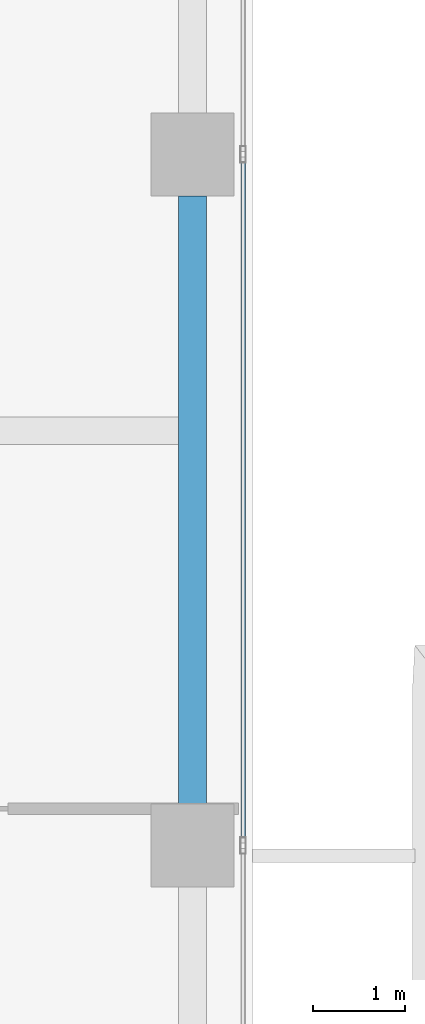
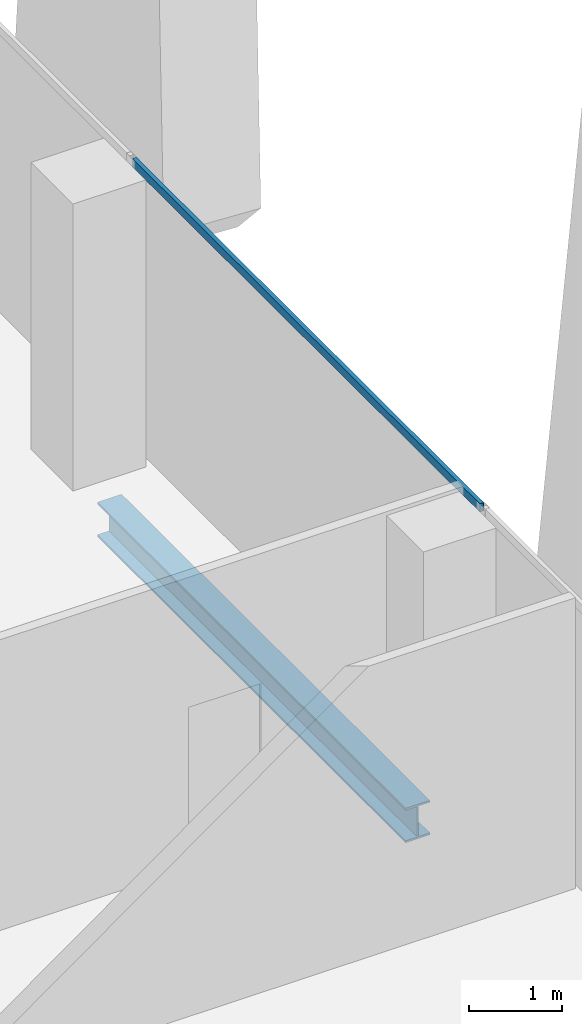
# One storey, part 14 of 36: 1 beam, 1 member, 1 element without a shape of its own.
"""IFC4 building model written with IfcOpenShell, lengths in metres."""

from ifc_helpers import new_model, si_unit, direction, frame, origin, origin_2d, place, context, subcontext, project, spatial, hollow_rectangle, i_section, extrude, source, transform, mapped, material, material_profile, profile_set, type_object, element, aggregate, save


model = new_model("IFC4")

# Units and contexts
model_context = context("Model", 3, precision=1e-05, world=origin(), true_north=direction((0.0, 1.0)))
body_context = subcontext(model_context, "Body", "Model", "MODEL_VIEW")
ifc_project = project(units=[si_unit("LENGTHUNIT", "METRE"), si_unit("AREAUNIT", "SQUARE_METRE"), si_unit("VOLUMEUNIT", "CUBIC_METRE"), si_unit("PLANEANGLEUNIT", "RADIAN"), si_unit("MASSUNIT", "GRAM", prefix="KILO")], contexts=[model_context])

# Site, building, storey
site_placement = place(None, origin())
site = spatial("IfcSite", under=ifc_project, at=site_placement, CompositionType="ELEMENT")
building_placement = place(site_placement, origin())
building = spatial("IfcBuilding", under=site, at=building_placement, Name="Khomas Fold Tower", CompositionType="ELEMENT")
storey_placement = place(building_placement, frame((0.0, 0.0, 238.199951171875)))
storey = spatial("IfcBuildingStorey", under=building, at=storey_placement, Name="L53", CompositionType="ELEMENT", Elevation=238.199951171875)

# Beam
ifc_material_1 = material(Name="Steel S355", Category="steel")
ifc_material_profile_1 = material_profile(ifc_material_1, i_section(OverallWidth=0.300048828125, OverallDepth=0.449951171875, WebThickness=0.013916015625, FlangeThickness=0.02587890625, at=origin_2d()), Name="HE 450 B")
ifc_profile_set_1 = profile_set([ifc_material_profile_1], Name="Steel S355")
beam_type = type_object("IfcBeamType", Name="HE 450 B spandrel SB4", PredefinedType="SPANDREL", material=ifc_profile_set_1)
shared_shape_1 = source(origin(), body_context, "Body", "SweptSolid", [
    extrude(i_section(OverallWidth=0.300048828125, OverallDepth=0.449951171875, WebThickness=0.013916015625, FlangeThickness=0.02587890625, at=origin_2d()), origin(), (0.0, 0.0, 1.0), 6.60009765625),
])
beam_placement = place(storey_placement, frame((48.85009765625, 27.449951171875, -0.474853515625), z_axis=(0.0, 1.0, 0.0), x_axis=(-1.0, 0.0, 0.0)))
element("IfcBeam", 1, at=beam_placement, inside=storey, type_object=beam_type, Name="SB4", PredefinedType="SPANDREL", context=body_context, shape_type="MappedRepresentation", body=[
    mapped(shared_shape_1, transform((0.0, 0.0, 0.0))),
])

# Curtain wall, member
ifc_material_2 = material(Name="Aluminium framed double glazing", Category="aluminium")
curtain_wall_type = type_object("IfcCurtainWallType", Name="SK-Unitised clear-glass wall, office floors CW2", PredefinedType="NOTDEFINED", material=ifc_material_2)
curtain_wall_placement = place(storey_placement, origin())
curtain_wall = element("IfcCurtainWall", 2, at=curtain_wall_placement, inside=storey, type_object=curtain_wall_type, Name="CW2 run L53 03-0", PredefinedType="NOTDEFINED")
ifc_material_3 = material(Name="Aluminium", Category="aluminium")
ifc_material_profile_2 = material_profile(ifc_material_3, hollow_rectangle(XDim=0.050048828125, YDim=0.110107421875, WallThickness=0.00390625, at=origin_2d()), Name="SK-Unitised clear-glass wall, office floors transom CW2-T")
ifc_profile_set_2 = profile_set([ifc_material_profile_2], Name="Aluminium")
member_type = type_object("IfcMemberType", Name="SK-Unitised clear-glass wall, office floors transom CW2-T", PredefinedType="USERDEFINED", material=ifc_profile_set_2)
shared_shape_2 = source(origin(), body_context, "Body", "SweptSolid", [
    extrude(hollow_rectangle(XDim=0.050048828125, YDim=0.110107421875, WallThickness=0.00390625, at=origin_2d()), origin(), (0.0, 0.0, 1.0), 7.43994140625),
])
member_placement = place(storey_placement, frame((49.39990234375, 27.030029296875, 3.695068359375), z_axis=(0.0, 1.0, 0.0), x_axis=(-1.0, 0.0, 0.0)))
member = element("IfcMember", 3, at=member_placement, type_object=member_type, Name="CW2 transom 4", ObjectType="TRANSOM", PredefinedType="USERDEFINED", context=body_context, shape_type="MappedRepresentation", body=[
    mapped(shared_shape_2, transform((0.0, 0.0, 0.0))),
])
aggregate(curtain_wall, [member])

save(model, "model.ifc")
